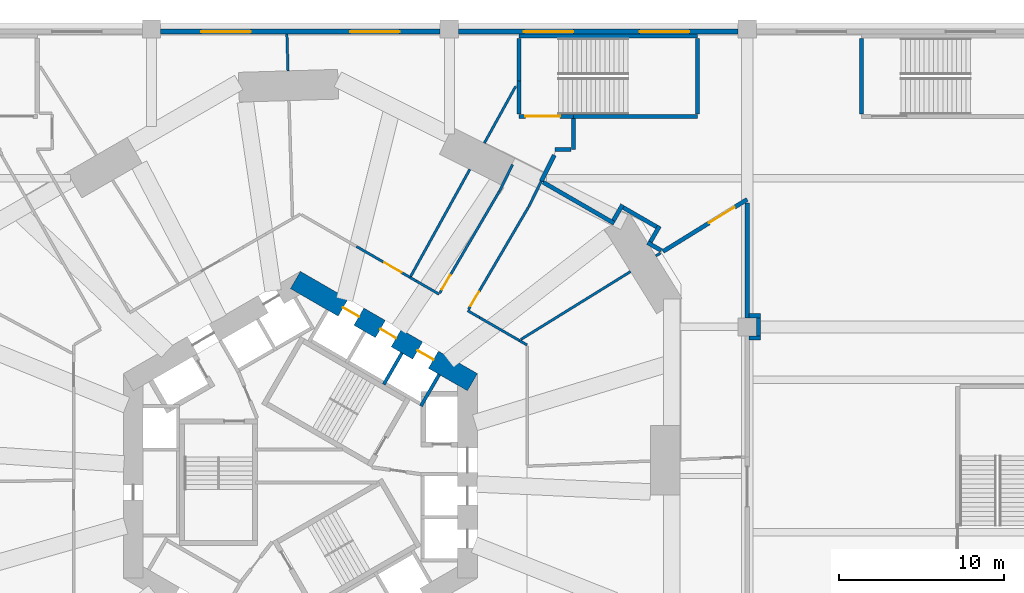
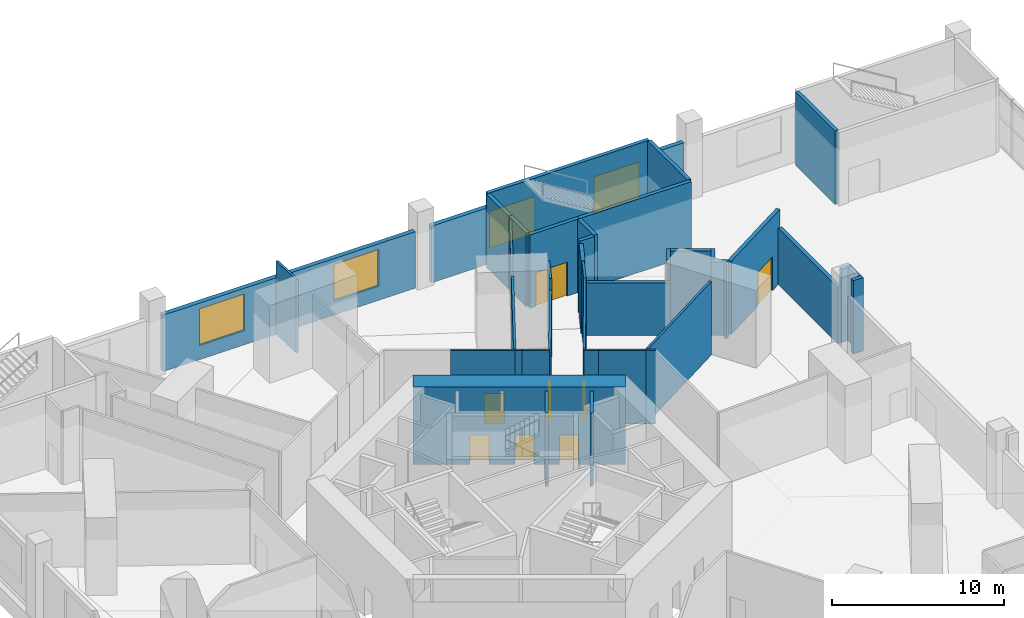
# One storey, part 9 of 16: 40 walls, 8 doors, 4 windows, 12 openings.
"""IFC4 building model written with IfcOpenShell, lengths in metres."""

from ifc_helpers import new_model, si_unit, direction, frame, frame_2d, origin, place, context, subcontext, project, spatial, rectangle, extrude, material, layer, layer_set, type_object, element, fill, save


model = new_model("IFC4")

# Units and contexts
model_context = context("Model", 3, precision=1e-05, world=origin(), true_north=direction((0.0, 1.0)))
body_context = subcontext(model_context, "Body", "Model", "MODEL_VIEW")
ifc_project = project(units=[si_unit("LENGTHUNIT", "METRE"), si_unit("AREAUNIT", "SQUARE_METRE"), si_unit("VOLUMEUNIT", "CUBIC_METRE"), si_unit("PLANEANGLEUNIT", "RADIAN"), si_unit("MASSUNIT", "GRAM", prefix="KILO")], contexts=[model_context])

# Site, building, storey
site_placement = place(None, origin())
site = spatial("IfcSite", under=ifc_project, at=site_placement, CompositionType="ELEMENT")
building_placement = place(site_placement, origin())
building = spatial("IfcBuilding", under=site, at=building_placement, Name="Vanh Sen Convention Tower", CompositionType="ELEMENT")
storey_placement = place(building_placement, frame((0.0, 0.0, 7.5)))
storey = spatial("IfcBuildingStorey", under=building, at=storey_placement, Name="L01", CompositionType="ELEMENT", Elevation=7.5)

# Walls
ifc_material_1 = material(Name="Concrete C40/50", Category="concrete")
ifc_layer_1 = layer(ifc_material_1, 0.25)
ifc_layer_set_1 = layer_set([ifc_layer_1], Name="Concrete C40/50")
wall_type_1 = type_object("IfcWallType", Name="Concrete wall 250 EI 180", PredefinedType="SOLIDWALL", material=ifc_layer_set_1)
wall_1_placement = place(storey_placement, frame((27.125, 8.324951171875, 0.0), z_axis=(0.0, 0.0, 1.0), x_axis=(1.0, 0.0, 0.0)))
element("IfcWall", 1, at=wall_1_placement, inside=storey, type_object=wall_type_1, Name="Fire-resisting wall L01-060", PredefinedType="SOLIDWALL", context=body_context, shape_type="SweptSolid", body=[
    extrude(rectangle(XDim=0.677001953125, YDim=0.25, at=frame_2d((0.33837890625, 0.0))), origin(), (0.0, 0.0, 1.0), 5.199951171875),
])
wall_2_placement = place(storey_placement, frame((27.677001953125, 8.449951171875, 0.0), z_axis=(0.0, 0.0, 1.0), x_axis=(0.0, 1.0, 0.0)))
element("IfcWall", 2, at=wall_2_placement, inside=storey, type_object=wall_type_1, Name="Fire-resisting wall L01-061", PredefinedType="SOLIDWALL", context=body_context, shape_type="SweptSolid", body=[
    extrude(rectangle(XDim=1.10009765625, YDim=0.25, at=frame_2d((0.550048828125, 0.0))), origin(), (0.0, 0.0, 1.0), 5.199951171875),
])
wall_3_placement = place(storey_placement, frame((27.0, 9.550048828125, 0.0), z_axis=(0.0, 0.0, 1.0), x_axis=(0.0, 1.0, 0.0)))
element("IfcWall", 3, at=wall_3_placement, inside=storey, type_object=wall_type_1, Name="Fire-resisting wall L01-063", PredefinedType="SOLIDWALL", context=body_context, shape_type="SweptSolid", body=[
    extrude(rectangle(XDim=6.932373046875, YDim=0.25, at=frame_2d((3.46630859375, 0.0))), origin(), (0.0, 0.0, 1.0), 4.0),
])
wall_4_placement = place(storey_placement, frame((27.125, 9.675048828125, 0.0), z_axis=(0.0, 0.0, 1.0), x_axis=(1.0, 0.0, 0.0)))
element("IfcWall", 4, at=wall_4_placement, inside=storey, type_object=wall_type_1, Name="Fire-resisting wall L01-065", PredefinedType="SOLIDWALL", context=body_context, shape_type="SweptSolid", body=[
    extrude(rectangle(XDim=0.677001953125, YDim=0.25, at=frame_2d((0.33837890625, 0.0))), origin(), (0.0, 0.0, 1.0), 5.199951171875),
])

# Wall, opening, door
wall_5_placement = place(storey_placement, frame((21.912841796875, 13.56005859375, 0.0), z_axis=(0.0, 0.0, 1.0), x_axis=(0.850358193604, 0.526204278367, 0.0)))
wall_5 = element("IfcWall", 5, at=wall_5_placement, inside=storey, type_object=wall_type_1, Name="Fire-resisting wall L01-078", PredefinedType="SOLIDWALL", context=body_context, shape_type="SweptSolid", body=[
    extrude(rectangle(XDim=5.982421875, YDim=0.25, at=frame_2d((2.9912109375, 0.0))), origin(), (0.0, 0.0, 1.0), 5.199951171875),
])
opening_1_placement = place(wall_5_placement, frame((3.2822265625, 0.0, 0.0)))
opening_1 = element("IfcOpeningElement", 6, at=opening_1_placement, cuts=wall_5, Name="Opening D01119", PredefinedType="OPENING", context=body_context, shape_type="SweptSolid", body=[
    extrude(rectangle(XDim=1.800048828125, YDim=2.39990234375, at=frame_2d((0.89990234375, 1.199951171875))), frame((0.0, 0.135009765625, 0.0), z_axis=(0.0, -1.0, 0.0), x_axis=(1.0, 0.0, 0.0)), (0.0, 0.0, 1.0), 0.27001953125),
])
ifc_material_2 = material(Name="Timber door in steel frame", Category="steel")
door_type_1 = type_object("IfcDoorType", Name="Double door 1800 EI 60", OperationType="DOUBLE_DOOR_SINGLE_SWING", PredefinedType="DOOR", material=ifc_material_2)
door_1_placement = place(opening_1_placement, origin())
door_1 = element("IfcDoor", 7, at=door_1_placement, inside=storey, type_object=door_type_1, Name="Double door D01119", OperationType="DOUBLE_DOOR_SINGLE_SWING", OverallHeight=2.39990234375, OverallWidth=1.800048828125, PredefinedType="DOOR", context=body_context, shape_type="SweptSolid", body=[
    extrude(rectangle(XDim=1.800048828125, YDim=2.39990234375, at=frame_2d((0.89990234375, 1.199951171875))), frame((0.0, 0.02490234375, 0.0), z_axis=(0.0, -1.0, 0.0), x_axis=(1.0, 0.0, 0.0)), (0.0, 0.0, 1.0), 0.050048828125),
])
fill(opening_1, door_1)

# Walls
wall_6_placement = place(storey_placement, frame((20.980712890625, 14.098388671875, 0.0), z_axis=(0.0, 0.0, 1.0), x_axis=(0.866019818373, -0.500009674092, 0.0)))
element("IfcWall", 8, at=wall_6_placement, inside=storey, type_object=wall_type_1, Name="Fire-resisting wall L01-081", PredefinedType="SOLIDWALL", context=body_context, shape_type="SweptSolid", body=[
    extrude(rectangle(XDim=0.95654296875, YDim=0.25, at=frame_2d((0.478271484375, 0.0))), origin(), (0.0, 0.0, 1.0), 5.199951171875),
])
wall_7_placement = place(storey_placement, frame((21.1513671875, 14.14404296875, 0.0), z_axis=(0.0, 0.0, 1.0), x_axis=(0.499940538003, 0.866059731463, 0.0)))
element("IfcWall", 9, at=wall_7_placement, inside=storey, type_object=wall_type_1, Name="Fire-resisting wall L01-082", PredefinedType="SOLIDWALL", context=body_context, shape_type="SweptSolid", body=[
    extrude(rectangle(XDim=1.098388671875, YDim=0.25, at=frame_2d((0.54931640625, 0.0))), origin(), (0.0, 0.0, 1.0), 5.199951171875),
])
wall_8_placement = place(storey_placement, frame((18.917724609375, 15.433837890625, 0.0), z_axis=(0.0, 0.0, 1.0), x_axis=(0.500036802197, 0.866004154983, 0.0)))
element("IfcWall", 10, at=wall_8_placement, inside=storey, type_object=wall_type_1, Name="Fire-resisting wall L01-085", PredefinedType="SOLIDWALL", context=body_context, shape_type="SweptSolid", body=[
    extrude(rectangle(XDim=1.09814453125, YDim=0.25, at=frame_2d((0.549072265625, 0.0))), origin(), (0.0, 0.0, 1.0), 5.199951171875),
])
wall_9_placement = place(storey_placement, frame((19.5126953125, 16.214111328125, 0.0), z_axis=(0.0, 0.0, 1.0), x_axis=(0.865983097198, -0.500073269999, 0.0)))
element("IfcWall", 11, at=wall_9_placement, inside=storey, type_object=wall_type_1, Name="Fire-resisting wall L01-087", PredefinedType="SOLIDWALL", context=body_context, shape_type="SweptSolid", body=[
    extrude(rectangle(XDim=2.329345703125, YDim=0.25, at=frame_2d((1.16455078125, 0.0))), origin(), (0.0, 0.0, 1.0), 5.199951171875),
])
wall_10_placement = place(storey_placement, frame((14.6650390625, 17.7451171875, 0.0), z_axis=(0.0, 0.0, 1.0), x_axis=(0.865991457592, -0.50005879192, 0.0)))
element("IfcWall", 12, at=wall_10_placement, inside=storey, type_object=wall_type_1, Name="Fire-resisting wall L01-089", PredefinedType="SOLIDWALL", context=body_context, shape_type="SweptSolid", body=[
    extrude(rectangle(XDim=4.9638671875, YDim=0.25, at=frame_2d((2.48193359375, 0.0))), origin(), (0.0, 0.0, 1.0), 3.699951171875),
])
wall_11_placement = place(storey_placement, frame((14.556396484375, 17.807373046875, 0.0), z_axis=(0.0, 0.0, 1.0), x_axis=(0.446105260408, 0.894980500701, 0.0)))
element("IfcWall", 13, at=wall_11_placement, inside=storey, type_object=wall_type_1, Name="Fire-resisting wall L01-091", PredefinedType="SOLIDWALL", context=body_context, shape_type="SweptSolid", body=[
    extrude(rectangle(XDim=1.7626953125, YDim=0.25, at=frame_2d((0.88134765625, 0.0))), origin(), (0.0, 0.0, 1.0), 5.199951171875),
])
wall_12_placement = place(storey_placement, frame((16.360107421875, 19.72509765625, 0.0), z_axis=(0.0, 0.0, 1.0), x_axis=(-1.0, 0.0, 0.0)))
element("IfcWall", 14, at=wall_12_placement, inside=storey, type_object=wall_type_1, Name="Fire-resisting wall L01-100", PredefinedType="SOLIDWALL", context=body_context, shape_type="SweptSolid", body=[
    extrude(rectangle(XDim=0.960205078125, YDim=0.25, at=frame_2d((0.47998046875, 0.0))), origin(), (0.0, 0.0, 1.0), 5.199951171875),
])
wall_13_placement = place(storey_placement, frame((16.5, 21.5849609375, 0.0), z_axis=(0.0, 0.0, 1.0), x_axis=(0.0, -1.0, 0.0)))
element("IfcWall", 15, at=wall_13_placement, inside=storey, type_object=wall_type_1, Name="Fire-resisting wall L01-102", PredefinedType="SOLIDWALL", context=body_context, shape_type="SweptSolid", body=[
    extrude(rectangle(XDim=1.85986328125, YDim=0.25, at=frame_2d((0.929931640625, 0.0))), origin(), (0.0, 0.0, 1.0), 5.199951171875),
])

# Wall, opening, door
ifc_layer_2 = layer(ifc_material_1, 0.25)
ifc_layer_set_2 = layer_set([ifc_layer_2], Name="Concrete C40/50")
wall_type_2 = type_object("IfcWallType", Name="Concrete wall 250 REI 180", PredefinedType="SOLIDWALL", material=ifc_layer_set_2)
wall_14_placement = place(storey_placement, frame((16.4990234375, 21.72509765625, 0.0), z_axis=(0.0, 0.0, 1.0), x_axis=(-1.0, 0.0, 0.0)))
wall_14 = element("IfcWall", 16, at=wall_14_placement, inside=storey, type_object=wall_type_2, Name="Fire-resisting wall L01-105", PredefinedType="SOLIDWALL", context=body_context, shape_type="SweptSolid", body=[
    extrude(rectangle(XDim=3.299072265625, YDim=0.25, at=frame_2d((1.6494140625, 0.0))), origin(), (0.0, 0.0, 1.0), 5.199951171875),
])
opening_2_placement = place(wall_14_placement, frame((0.799072265625, 0.0, 0.0)))
opening_2 = element("IfcOpeningElement", 17, at=opening_2_placement, cuts=wall_14, Name="Opening D01123", PredefinedType="OPENING", context=body_context, shape_type="SweptSolid", body=[
    extrude(rectangle(XDim=2.10009765625, YDim=2.39990234375, at=frame_2d((1.050048828125, 1.199951171875))), frame((0.0, 0.135009765625, 0.0), z_axis=(0.0, -1.0, 0.0), x_axis=(1.0, 0.0, 0.0)), (0.0, 0.0, 1.0), 0.27001953125),
])
ifc_material_3 = material(Name="Steel S355", Category="steel")
door_type_2 = type_object("IfcDoorType", Name="Stair door 2100 EI 60", OperationType="DOUBLE_DOOR_SINGLE_SWING", PredefinedType="DOOR", material=ifc_material_3)
door_2_placement = place(opening_2_placement, frame((2.10009765625, 0.0, 0.0), z_axis=(0.0, 0.0, 1.0), x_axis=(-1.0, 0.0, 0.0)))
door_2 = element("IfcDoor", 18, at=door_2_placement, inside=storey, type_object=door_type_2, Name="Stair door D01123", OperationType="DOUBLE_DOOR_SINGLE_SWING", OverallHeight=2.39990234375, OverallWidth=2.10009765625, PredefinedType="DOOR", context=body_context, shape_type="SweptSolid", body=[
    extrude(rectangle(XDim=2.10009765625, YDim=2.39990234375, at=frame_2d((1.050048828125, 1.199951171875))), frame((0.0, 0.02490234375, 0.0), z_axis=(0.0, -1.0, 0.0), x_axis=(1.0, 0.0, 0.0)), (0.0, 0.0, 1.0), 0.050048828125),
])
fill(opening_2, door_2)

# Walls
wall_15_placement = place(storey_placement, frame((24.0, 21.72509765625, 0.0), z_axis=(0.0, 0.0, 1.0), x_axis=(-1.0, 0.0, 0.0)))
element("IfcWall", 19, at=wall_15_placement, inside=storey, type_object=wall_type_2, Name="Fire-resisting wall L01-106", PredefinedType="SOLIDWALL", context=body_context, shape_type="SweptSolid", body=[
    extrude(rectangle(XDim=7.5, YDim=0.25, at=frame_2d((3.75, 0.0))), origin(), (0.0, 0.0, 1.0), 5.199951171875),
])
wall_16_placement = place(storey_placement, frame((13.199951171875, 21.864990234375, 0.0), z_axis=(0.0, 0.0, 1.0), x_axis=(0.0, 1.0, 0.0)))
element("IfcWall", 20, at=wall_16_placement, inside=storey, type_object=wall_type_2, Name="Fire-resisting wall L01-109", PredefinedType="SOLIDWALL", context=body_context, shape_type="SweptSolid", body=[
    extrude(rectangle(XDim=1.986083984375, YDim=0.25, at=frame_2d((0.9931640625, 0.0))), origin(), (0.0, 0.0, 1.0), 5.199951171875),
])
wall_17_placement = place(storey_placement, frame((33.89990234375, 21.864990234375, 0.0), z_axis=(0.0, 0.0, 1.0), x_axis=(0.0, 1.0, 0.0)))
element("IfcWall", 21, at=wall_17_placement, inside=storey, type_object=wall_type_2, Name="Fire-resisting wall L01-110", PredefinedType="SOLIDWALL", context=body_context, shape_type="SweptSolid", body=[
    extrude(rectangle(XDim=4.574951171875, YDim=0.25, at=frame_2d((2.28759765625, 0.0))), origin(), (0.0, 0.0, 1.0), 5.199951171875),
])
wall_18_placement = place(storey_placement, frame((13.199951171875, 23.87841796875, 0.0), z_axis=(0.0, 0.0, 1.0), x_axis=(0.0, 1.0, 0.0)))
element("IfcWall", 22, at=wall_18_placement, inside=storey, type_object=wall_type_2, Name="Fire-resisting wall L01-113", PredefinedType="SOLIDWALL", context=body_context, shape_type="SweptSolid", body=[
    extrude(rectangle(XDim=2.5615234375, YDim=0.25, at=frame_2d((1.28076171875, 0.0))), origin(), (0.0, 0.0, 1.0), 5.199951171875),
])
wall_19_placement = place(storey_placement, frame((24.0, 26.43994140625, 0.0), z_axis=(0.0, 0.0, 1.0), x_axis=(0.0, -1.0, 0.0)))
element("IfcWall", 23, at=wall_19_placement, inside=storey, type_object=wall_type_2, Name="Fire-resisting wall L01-117", PredefinedType="SOLIDWALL", context=body_context, shape_type="SweptSolid", body=[
    extrude(rectangle(XDim=4.574951171875, YDim=0.25, at=frame_2d((2.28759765625, 0.0))), origin(), (0.0, 0.0, 1.0), 5.199951171875),
])
wall_20_placement = place(storey_placement, frame((24.0, 26.574951171875, 0.0), z_axis=(0.0, 0.0, 1.0), x_axis=(-1.0, 0.0, 0.0)))
element("IfcWall", 24, at=wall_20_placement, inside=storey, type_object=wall_type_2, Name="Stair enclosure wall PS4 L01", PredefinedType="SOLIDWALL", context=body_context, shape_type="SweptSolid", body=[
    extrude(rectangle(XDim=10.800048828125, YDim=0.25, at=frame_2d((5.39990234375, 0.0))), origin(), (0.0, 0.0, 1.0), 5.199951171875),
])

# Wall, openings, doors
ifc_material_4 = material(Name="Concrete C80/95", Category="concrete")
ifc_layer_3 = layer(ifc_material_4, 1.199951171875)
ifc_layer_set_3 = layer_set([ifc_layer_3], Name="Concrete C80/95")
wall_type_3 = type_object("IfcWallType", Name="Core outer wall 1200 C80/95", PredefinedType="SHEAR", material=ifc_layer_set_3)
wall_21_placement = place(storey_placement, frame((10.39990234375, 5.657958984375, 0.0), z_axis=(0.0, 0.0, 1.0), x_axis=(-0.866021384402, 0.500006961711, 0.0)))
wall_21 = element("IfcWall", 25, at=wall_21_placement, inside=storey, type_object=wall_type_3, Name="Core wall face NE L01", PredefinedType="SHEAR", context=body_context, shape_type="SweptSolid", body=[
    extrude(rectangle(XDim=12.355224609375, YDim=1.199951171875, at=frame_2d((6.177734375, 0.0))), origin(), (0.0, 0.0, 1.0), 5.5),
])
opening_3_placement = place(wall_21_placement, frame((2.727783203125, 0.0, 0.0)))
opening_3 = element("IfcOpeningElement", 26, at=opening_3_placement, cuts=wall_21, Name="Opening LD-LR3", PredefinedType="OPENING", context=body_context, shape_type="SweptSolid", body=[
    extrude(rectangle(XDim=1.10009765625, YDim=2.10009765625, at=frame_2d((0.550048828125, 1.050048828125))), frame((0.0, 0.60986328125, 0.0), z_axis=(0.0, -1.0, 0.0), x_axis=(1.0, 0.0, 0.0)), (0.0, 0.0, 1.0), 1.219970703125),
])
opening_4_placement = place(wall_21_placement, frame((5.32763671875, 0.0, 0.0)))
opening_4 = element("IfcOpeningElement", 27, at=opening_4_placement, cuts=wall_21, Name="Opening LD-LR4", PredefinedType="OPENING", context=body_context, shape_type="SweptSolid", body=[
    extrude(rectangle(XDim=1.10009765625, YDim=2.10009765625, at=frame_2d((0.550048828125, 1.050048828125))), frame((0.0, 0.60986328125, 0.0), z_axis=(0.0, -1.0, 0.0), x_axis=(1.0, 0.0, 0.0)), (0.0, 0.0, 1.0), 1.219970703125),
])
opening_5_placement = place(wall_21_placement, frame((7.927734375, 0.0, 0.0)))
opening_5 = element("IfcOpeningElement", 28, at=opening_5_placement, cuts=wall_21, Name="Opening LD-LR5", PredefinedType="OPENING", context=body_context, shape_type="SweptSolid", body=[
    extrude(rectangle(XDim=1.10009765625, YDim=2.10009765625, at=frame_2d((0.550048828125, 1.050048828125))), frame((0.0, 0.60986328125, 0.0), z_axis=(0.0, -1.0, 0.0), x_axis=(1.0, 0.0, 0.0)), (0.0, 0.0, 1.0), 1.219970703125),
])
ifc_material_5 = material(Name="Stainless steel", Category="steel")
door_type_3 = type_object("IfcDoorType", Name="Lift landing door 1100", OperationType="DOUBLE_DOOR_SLIDING", PredefinedType="DOOR", material=ifc_material_5)
door_3_placement = place(opening_3_placement, origin())
door_3 = element("IfcDoor", 29, at=door_3_placement, inside=storey, type_object=door_type_3, Name="Lift LR3 landing door LD-LR3", OperationType="DOUBLE_DOOR_SLIDING", OverallHeight=2.10009765625, OverallWidth=1.10009765625, PredefinedType="DOOR", context=body_context, shape_type="SweptSolid", body=[
    extrude(rectangle(XDim=1.10009765625, YDim=2.10009765625, at=frame_2d((0.550048828125, 1.050048828125))), frame((0.0, 0.02490234375, 0.0), z_axis=(0.0, -1.0, 0.0), x_axis=(1.0, 0.0, 0.0)), (0.0, 0.0, 1.0), 0.050048828125),
])
fill(opening_3, door_3)
door_4_placement = place(opening_4_placement, origin())
door_4 = element("IfcDoor", 30, at=door_4_placement, inside=storey, type_object=door_type_3, Name="Lift LR4 landing door LD-LR4", OperationType="DOUBLE_DOOR_SLIDING", OverallHeight=2.10009765625, OverallWidth=1.10009765625, PredefinedType="DOOR", context=body_context, shape_type="SweptSolid", body=[
    extrude(rectangle(XDim=1.10009765625, YDim=2.10009765625, at=frame_2d((0.550048828125, 1.050048828125))), frame((0.0, 0.02490234375, 0.0), z_axis=(0.0, -1.0, 0.0), x_axis=(1.0, 0.0, 0.0)), (0.0, 0.0, 1.0), 0.050048828125),
])
fill(opening_4, door_4)
door_5_placement = place(opening_5_placement, origin())
door_5 = element("IfcDoor", 31, at=door_5_placement, inside=storey, type_object=door_type_3, Name="Lift LR5 landing door LD-LR5", OperationType="DOUBLE_DOOR_SLIDING", OverallHeight=2.10009765625, OverallWidth=1.10009765625, PredefinedType="DOOR", context=body_context, shape_type="SweptSolid", body=[
    extrude(rectangle(XDim=1.10009765625, YDim=2.10009765625, at=frame_2d((0.550048828125, 1.050048828125))), frame((0.0, 0.02490234375, 0.0), z_axis=(0.0, -1.0, 0.0), x_axis=(1.0, 0.0, 0.0)), (0.0, 0.0, 1.0), 0.050048828125),
])
fill(opening_5, door_5)

# Walls
ifc_layer_4 = layer(ifc_material_1, 0.199951171875)
ifc_layer_set_4 = layer_set([ifc_layer_4], Name="Concrete C40/50")
wall_type_4 = type_object("IfcWallType", Name="Lift shaft wall 200", PredefinedType="PARTITIONING", material=ifc_layer_set_4)
for number, where, z_axis, x_axis, name in (
    (32, (7.287353515625, 4.221923828125, 0.0), (0.0, 0.0, 1.0), (0.499946605688, 0.86605622881, 0.0), "Lift shaft wall L01"),
    (33, (5.03564453125, 5.52197265625, 0.0), (0.0, 0.0, 1.0), (0.499946605688, 0.86605622881, 0.0), "Lift shaft wall L01"),
):
    element("IfcWall", number, at=place(storey_placement, frame(where, z_axis=z_axis, x_axis=x_axis)), inside=storey, type_object=wall_type_4, Name=name, PredefinedType="PARTITIONING", context=body_context, shape_type="SweptSolid", body=[
        extrude(rectangle(XDim=2.199951171875, YDim=0.199951171875, at=frame_2d((1.10009765625, 0.0))), origin(), (0.0, 0.0, 1.0), 5.199951171875),
    ])
ifc_material_6 = material(Name="Gypsum board on steel studs", Category="steel")
ifc_layer_5 = layer(ifc_material_6, 0.14990234375)
ifc_layer_set_5 = layer_set([ifc_layer_5], Name="Gypsum board on steel studs")
wall_type_5 = type_object("IfcWallType", Name="Partition 150 EI 60", PredefinedType="PARTITIONING", material=ifc_layer_set_5)
wall_22_placement = place(storey_placement, frame((13.699951171875, 7.909423828125, 0.0), z_axis=(0.0, 0.0, 1.0), x_axis=(-0.865629350875, 0.50068535719, 0.0)))
element("IfcWall", 34, at=wall_22_placement, inside=storey, type_object=wall_type_5, Name="Partition L01-058", PredefinedType="PARTITIONING", context=body_context, shape_type="SweptSolid", body=[
    extrude(rectangle(XDim=0.548583984375, YDim=0.14990234375, at=frame_2d((0.2744140625, 0.0))), origin(), (0.0, 0.0, 1.0), 5.199951171875),
])
wall_23_placement = place(storey_placement, frame((10.83349609375, 9.564453125, 0.0), z_axis=(0.0, 0.0, 1.0), x_axis=(0.866091368387, -0.499885728548, 0.0)))
element("IfcWall", 35, at=wall_23_placement, inside=storey, type_object=wall_type_5, Name="Partition L01-064", PredefinedType="PARTITIONING", context=body_context, shape_type="SweptSolid", body=[
    extrude(rectangle(XDim=2.761474609375, YDim=0.14990234375, at=frame_2d((1.380859375, 0.0))), origin(), (0.0, 0.0, 1.0), 5.199951171875),
])
wall_24_placement = place(storey_placement, frame((10.113525390625, 9.98046875, 0.0), z_axis=(0.0, 0.0, 1.0), x_axis=(0.865848115047, -0.500306947453, 0.0)))
element("IfcWall", 36, at=wall_24_placement, inside=storey, type_object=wall_type_5, Name="Partition L01-067", PredefinedType="PARTITIONING", context=body_context, shape_type="SweptSolid", body=[
    extrude(rectangle(XDim=0.83154296875, YDim=0.14990234375, at=frame_2d((0.415771484375, 0.0))), origin(), (0.0, 0.0, 1.0), 5.199951171875),
])

# Wall, opening, door
wall_25_placement = place(storey_placement, frame((8.421875, 11.049560546875, 0.0), z_axis=(0.0, 0.0, 1.0), x_axis=(0.50561651199, 0.862758333952, 0.0)))
wall_25 = element("IfcWall", 37, at=wall_25_placement, inside=storey, type_object=wall_type_5, Name="Partition L01-068", PredefinedType="PARTITIONING", context=body_context, shape_type="SweptSolid", body=[
    extrude(rectangle(XDim=7.1181640625, YDim=0.14990234375, at=frame_2d((3.55908203125, 0.0))), origin(), (0.0, 0.0, 1.0), 4.39990234375),
])
opening_6_placement = place(wall_25_placement, frame((0.25, 0.0, 0.0)))
opening_6 = element("IfcOpeningElement", 38, at=opening_6_placement, cuts=wall_25, Name="Opening D01116", PredefinedType="OPENING", context=body_context, shape_type="SweptSolid", body=[
    extrude(rectangle(XDim=1.0, YDim=2.10009765625, at=frame_2d((0.5, 1.050048828125))), frame((0.0, 0.0849609375, 0.0), z_axis=(0.0, -1.0, 0.0), x_axis=(1.0, 0.0, 0.0)), (0.0, 0.0, 1.0), 0.169921875),
])
door_type_4 = type_object("IfcDoorType", Name="Room door 1000 EI 30", OperationType="SINGLE_SWING_LEFT", PredefinedType="DOOR", material=ifc_material_2)
door_6_placement = place(opening_6_placement, origin())
door_6 = element("IfcDoor", 39, at=door_6_placement, inside=storey, type_object=door_type_4, Name="Room door D01116", OperationType="SINGLE_SWING_LEFT", OverallHeight=2.10009765625, OverallWidth=1.0, PredefinedType="DOOR", context=body_context, shape_type="SweptSolid", body=[
    extrude(rectangle(XDim=1.0, YDim=2.10009765625, at=frame_2d((0.5, 1.050048828125))), frame((0.0, 0.02490234375, 0.0), z_axis=(0.0, -1.0, 0.0), x_axis=(1.0, 0.0, 0.0)), (0.0, 0.0, 1.0), 0.050048828125),
])
fill(opening_6, door_6)

# Walls
wall_26_placement = place(storey_placement, frame((6.9951171875, 11.78076171875, 0.0), z_axis=(0.0, 0.0, 1.0), x_axis=(0.866076391369, -0.499911676512, 0.0)))
element("IfcWall", 40, at=wall_26_placement, inside=storey, type_object=wall_type_5, Name="Partition L01-071", PredefinedType="PARTITIONING", context=body_context, shape_type="SweptSolid", body=[
    extrude(rectangle(XDim=1.600830078125, YDim=0.14990234375, at=frame_2d((0.80029296875, 0.0))), origin(), (0.0, 0.0, 1.0), 5.199951171875),
])
wall_27_placement = place(storey_placement, frame((6.9951171875, 11.78076171875, 0.0), z_axis=(0.0, 0.0, 1.0), x_axis=(-0.866281716711, 0.49955578997, 0.0)))
element("IfcWall", 41, at=wall_27_placement, inside=storey, type_object=wall_type_5, Name="Partition L01-072", PredefinedType="PARTITIONING", context=body_context, shape_type="SweptSolid", body=[
    extrude(rectangle(XDim=0.4228515625, YDim=0.14990234375, at=frame_2d((0.21142578125, 0.0))), origin(), (0.0, 0.0, 1.0), 5.199951171875),
])

# Wall, opening, door
wall_28_placement = place(storey_placement, frame((6.62890625, 11.991943359375, 0.0), z_axis=(0.0, 0.0, 1.0), x_axis=(-0.86599558016, 0.500051652475, 0.0)))
wall_28 = element("IfcWall", 42, at=wall_28_placement, inside=storey, type_object=wall_type_5, Name="Partition L01-074", PredefinedType="PARTITIONING", context=body_context, shape_type="SweptSolid", body=[
    extrude(rectangle(XDim=3.74462890625, YDim=0.14990234375, at=frame_2d((1.872314453125, 0.0))), origin(), (0.0, 0.0, 1.0), 5.199951171875),
])
opening_7_placement = place(wall_28_placement, frame((0.60009765625, 0.0, 0.0)))
opening_7 = element("IfcOpeningElement", 43, at=opening_7_placement, cuts=wall_28, Name="Opening D01118", PredefinedType="OPENING", context=body_context, shape_type="SweptSolid", body=[
    extrude(rectangle(XDim=1.199951171875, YDim=2.10009765625, at=frame_2d((0.60009765625, 1.050048828125))), frame((0.0, 0.0849609375, 0.0), z_axis=(0.0, -1.0, 0.0), x_axis=(1.0, 0.0, 0.0)), (0.0, 0.0, 1.0), 0.169921875),
])
door_type_5 = type_object("IfcDoorType", Name="Room door 1200 EI 30", OperationType="SINGLE_SWING_LEFT", PredefinedType="DOOR", material=ifc_material_2)
door_7_placement = place(opening_7_placement, origin())
door_7 = element("IfcDoor", 44, at=door_7_placement, inside=storey, type_object=door_type_5, Name="Room door D01118", OperationType="SINGLE_SWING_LEFT", OverallHeight=2.10009765625, OverallWidth=1.199951171875, PredefinedType="DOOR", context=body_context, shape_type="SweptSolid", body=[
    extrude(rectangle(XDim=1.199951171875, YDim=2.10009765625, at=frame_2d((0.60009765625, 1.050048828125))), frame((0.0, 0.02490234375, 0.0), z_axis=(0.0, -1.0, 0.0), x_axis=(1.0, 0.0, 0.0)), (0.0, 0.0, 1.0), 0.050048828125),
])
fill(opening_7, door_7)

# Walls
wall_29_placement = place(storey_placement, frame((6.667724609375, 12.06201171875, 0.0), z_axis=(0.0, 0.0, 1.0), x_axis=(0.483795376692, 0.875181143245, 0.0)))
element("IfcWall", 45, at=wall_29_placement, inside=storey, type_object=wall_type_5, Name="Partition L01-075", PredefinedType="PARTITIONING", context=body_context, shape_type="SweptSolid", body=[
    extrude(rectangle(XDim=7.386962890625, YDim=0.14990234375, at=frame_2d((3.693359375, 0.0))), origin(), (0.0, 0.0, 1.0), 5.199951171875),
])
wall_30_placement = place(storey_placement, frame((19.948974609375, 12.344970703125, 0.0), z_axis=(0.0, 0.0, 1.0), x_axis=(-0.850341306025, -0.526231568102, 0.0)))
element("IfcWall", 46, at=wall_30_placement, inside=storey, type_object=wall_type_5, Name="Partition L01-076", PredefinedType="PARTITIONING", context=body_context, shape_type="SweptSolid", body=[
    extrude(rectangle(XDim=7.787353515625, YDim=0.14990234375, at=frame_2d((3.8935546875, 0.0))), origin(), (0.0, 0.0, 1.0), 5.199951171875),
])
wall_31_placement = place(storey_placement, frame((21.755615234375, 13.462646484375, 0.0), z_axis=(0.0, 0.0, 1.0), x_axis=(-0.850441528835, -0.526069582881, 0.0)))
element("IfcWall", 47, at=wall_31_placement, inside=storey, type_object=wall_type_5, Name="Partition L01-077", PredefinedType="PARTITIONING", context=body_context, shape_type="SweptSolid", body=[
    extrude(rectangle(XDim=0.324462890625, YDim=0.14990234375, at=frame_2d((0.162109375, 0.0))), origin(), (0.0, 0.0, 1.0), 5.199951171875),
])

# Wall, opening, door
wall_32_placement = place(storey_placement, frame((13.77197265625, 16.22412109375, 0.0), z_axis=(0.0, 0.0, 1.0), x_axis=(-0.505547889018, -0.862798546539, 0.0)))
wall_32 = element("IfcWall", 48, at=wall_32_placement, inside=storey, type_object=wall_type_5, Name="Partition L01-088", PredefinedType="PARTITIONING", context=body_context, shape_type="SweptSolid", body=[
    extrude(rectangle(XDim=7.156494140625, YDim=0.14990234375, at=frame_2d((3.578125, 0.0))), origin(), (0.0, 0.0, 1.0), 5.199951171875),
])
opening_8_placement = place(wall_32_placement, frame((5.906494140625, 0.0, 0.0)))
opening_8 = element("IfcOpeningElement", 49, at=opening_8_placement, cuts=wall_32, Name="Opening D01120", PredefinedType="OPENING", context=body_context, shape_type="SweptSolid", body=[
    extrude(rectangle(XDim=1.0, YDim=2.10009765625, at=frame_2d((0.5, 1.050048828125))), frame((0.0, 0.0849609375, 0.0), z_axis=(0.0, -1.0, 0.0), x_axis=(1.0, 0.0, 0.0)), (0.0, 0.0, 1.0), 0.169921875),
])
door_8_placement = place(opening_8_placement, origin())
door_8 = element("IfcDoor", 50, at=door_8_placement, inside=storey, type_object=door_type_4, Name="Room door D01120", OperationType="SINGLE_SWING_LEFT", OverallHeight=2.10009765625, OverallWidth=1.0, PredefinedType="DOOR", context=body_context, shape_type="SweptSolid", body=[
    extrude(rectangle(XDim=1.0, YDim=2.10009765625, at=frame_2d((0.5, 1.050048828125))), frame((0.0, 0.02490234375, 0.0), z_axis=(0.0, -1.0, 0.0), x_axis=(1.0, 0.0, 0.0)), (0.0, 0.0, 1.0), 0.050048828125),
])
fill(opening_8, door_8)

# Walls
wall_33_placement = place(storey_placement, frame((14.56005859375, 17.80322265625, 0.0), z_axis=(0.0, 0.0, 1.0), x_axis=(-0.44574598187, -0.895159493971, 0.0)))
element("IfcWall", 51, at=wall_33_placement, inside=storey, type_object=wall_type_5, Name="Partition L01-090", PredefinedType="PARTITIONING", context=body_context, shape_type="SweptSolid", body=[
    extrude(rectangle(XDim=1.730712890625, YDim=0.14990234375, at=frame_2d((0.865234375, 0.0))), origin(), (0.0, 0.0, 1.0), 5.199951171875),
])
wall_34_placement = place(storey_placement, frame((12.825439453125, 18.806884765625, 0.0), z_axis=(0.0, 0.0, 1.0), x_axis=(-0.445626254489, -0.895219102404, 0.0)))
element("IfcWall", 52, at=wall_34_placement, inside=storey, type_object=wall_type_5, Name="Partition L01-092", PredefinedType="PARTITIONING", context=body_context, shape_type="SweptSolid", body=[
    extrude(rectangle(XDim=1.784912109375, YDim=0.14990234375, at=frame_2d((0.892578125, 0.0))), origin(), (0.0, 0.0, 1.0), 5.199951171875),
])
wall_35_placement = place(storey_placement, frame((13.010009765625, 23.538330078125, 0.0), z_axis=(0.0, 0.0, 1.0), x_axis=(-0.483449030978, -0.875372511818, 0.0)))
element("IfcWall", 53, at=wall_35_placement, inside=storey, type_object=wall_type_5, Name="Partition L01-112", PredefinedType="PARTITIONING", context=body_context, shape_type="SweptSolid", body=[
    extrude(rectangle(XDim=3.923828125, YDim=0.14990234375, at=frame_2d((1.9619140625, 0.0))), origin(), (0.0, 0.0, 1.0), 5.199951171875),
])
wall_36_placement = place(storey_placement, frame((-0.747802734375, 24.476806640625, 0.0), z_axis=(0.0, 0.0, 1.0), x_axis=(-0.030405439098, 0.999537647752, 0.0)))
element("IfcWall", 54, at=wall_36_placement, inside=storey, type_object=wall_type_5, Name="Partition L01-114", PredefinedType="PARTITIONING", context=body_context, shape_type="SweptSolid", body=[
    extrude(rectangle(XDim=2.22412109375, YDim=0.14990234375, at=frame_2d((1.112060546875, 0.0))), origin(), (0.0, 0.0, 1.0), 5.199951171875),
])

# Wall, openings, windows
ifc_material_7 = material(Name="Concrete C50/60", Category="concrete")
ifc_layer_6 = layer(ifc_material_7, 0.300048828125)
ifc_layer_set_6 = layer_set([ifc_layer_6], Name="Concrete C50/60")
wall_type_6 = type_object("IfcWallType", Name="Podium wall 300", PredefinedType="STANDARD", material=ifc_layer_set_6)
wall_37_placement = place(storey_placement, frame((26.449951171875, 26.85009765625, 0.0), z_axis=(0.0, 0.0, 1.0), x_axis=(-1.0, 0.0, 0.0)))
wall_37 = element("IfcWall", 55, at=wall_37_placement, inside=storey, type_object=wall_type_6, Name="Podium wall N2 L01", PredefinedType="STANDARD", context=body_context, shape_type="SweptSolid", body=[
    extrude(rectangle(XDim=16.89990234375, YDim=0.300048828125, at=frame_2d((8.449951171875, 0.0))), origin(), (0.0, 0.0, 1.0), 4.0),
])
opening_9_placement = place(wall_37_placement, frame((2.949951171875, 0.0, 1.0)))
opening_9 = element("IfcOpeningElement", 56, at=opening_9_placement, cuts=wall_37, Name="Opening WP2-N3", PredefinedType="OPENING", context=body_context, shape_type="SweptSolid", body=[
    extrude(rectangle(XDim=3.0, YDim=2.60009765625, at=frame_2d((1.5, 1.300048828125))), frame((0.0, 0.159912109375, 0.0), z_axis=(0.0, -1.0, 0.0), x_axis=(1.0, 0.0, 0.0)), (0.0, 0.0, 1.0), 0.320068359375),
])
opening_10_placement = place(wall_37_placement, frame((9.949951171875, 0.0, 1.0)))
opening_10 = element("IfcOpeningElement", 57, at=opening_10_placement, cuts=wall_37, Name="Opening WP2-N4", PredefinedType="OPENING", context=body_context, shape_type="SweptSolid", body=[
    extrude(rectangle(XDim=3.0, YDim=2.60009765625, at=frame_2d((1.5, 1.300048828125))), frame((0.0, 0.159912109375, 0.0), z_axis=(0.0, -1.0, 0.0), x_axis=(1.0, 0.0, 0.0)), (0.0, 0.0, 1.0), 0.320068359375),
])
ifc_material_8 = material(Name="Aluminium frame with clear low-emissivity glass", Category="aluminium")
window_type = type_object("IfcWindowType", Name="Podium window 3000 x 2600", PartitioningType="SINGLE_PANEL", PredefinedType="WINDOW", material=ifc_material_8)
window_1_placement = place(opening_9_placement, origin())
window_1 = element("IfcWindow", 58, at=window_1_placement, inside=storey, type_object=window_type, Name="Window WP2-N3", OverallHeight=2.60009765625, OverallWidth=3.0, PartitioningType="SINGLE_PANEL", PredefinedType="WINDOW", context=body_context, shape_type="SweptSolid", body=[
    extrude(rectangle(XDim=3.0, YDim=2.60009765625, at=frame_2d((1.5, 1.300048828125))), frame((0.0, 0.030029296875, 0.0), z_axis=(0.0, -1.0, 0.0), x_axis=(1.0, 0.0, 0.0)), (0.0, 0.0, 1.0), 0.06005859375),
])
fill(opening_9, window_1)
window_2_placement = place(opening_10_placement, origin())
window_2 = element("IfcWindow", 59, at=window_2_placement, inside=storey, type_object=window_type, Name="Window WP2-N4", OverallHeight=2.60009765625, OverallWidth=3.0, PartitioningType="SINGLE_PANEL", PredefinedType="WINDOW", context=body_context, shape_type="SweptSolid", body=[
    extrude(rectangle(XDim=3.0, YDim=2.60009765625, at=frame_2d((1.5, 1.300048828125))), frame((0.0, 0.030029296875, 0.0), z_axis=(0.0, -1.0, 0.0), x_axis=(1.0, 0.0, 0.0)), (0.0, 0.0, 1.0), 0.06005859375),
])
fill(opening_10, window_2)

wall_38_placement = place(storey_placement, frame((8.449951171875, 26.85009765625, 0.0), z_axis=(0.0, 0.0, 1.0), x_axis=(-1.0, 0.0, 0.0)))
wall_38 = element("IfcWall", 60, at=wall_38_placement, inside=storey, type_object=wall_type_6, Name="Podium wall N3 L01", PredefinedType="STANDARD", context=body_context, shape_type="SweptSolid", body=[
    extrude(rectangle(XDim=16.89990234375, YDim=0.300048828125, at=frame_2d((8.449951171875, 0.0))), origin(), (0.0, 0.0, 1.0), 4.0),
])
opening_11_placement = place(wall_38_placement, frame((2.449951171875, 0.0, 1.0)))
opening_11 = element("IfcOpeningElement", 61, at=opening_11_placement, cuts=wall_38, Name="Opening WP2-N5", PredefinedType="OPENING", context=body_context, shape_type="SweptSolid", body=[
    extrude(rectangle(XDim=3.0, YDim=2.60009765625, at=frame_2d((1.5, 1.300048828125))), frame((0.0, 0.159912109375, 0.0), z_axis=(0.0, -1.0, 0.0), x_axis=(1.0, 0.0, 0.0)), (0.0, 0.0, 1.0), 0.320068359375),
])
opening_12_placement = place(wall_38_placement, frame((11.449951171875, 0.0, 1.0)))
opening_12 = element("IfcOpeningElement", 62, at=opening_12_placement, cuts=wall_38, Name="Opening WP2-N6", PredefinedType="OPENING", context=body_context, shape_type="SweptSolid", body=[
    extrude(rectangle(XDim=3.0, YDim=2.60009765625, at=frame_2d((1.5, 1.300048828125))), frame((0.0, 0.159912109375, 0.0), z_axis=(0.0, -1.0, 0.0), x_axis=(1.0, 0.0, 0.0)), (0.0, 0.0, 1.0), 0.320068359375),
])
window_3_placement = place(opening_11_placement, origin())
window_3 = element("IfcWindow", 63, at=window_3_placement, inside=storey, type_object=window_type, Name="Window WP2-N5", OverallHeight=2.60009765625, OverallWidth=3.0, PartitioningType="SINGLE_PANEL", PredefinedType="WINDOW", context=body_context, shape_type="SweptSolid", body=[
    extrude(rectangle(XDim=3.0, YDim=2.60009765625, at=frame_2d((1.5, 1.300048828125))), frame((0.0, 0.030029296875, 0.0), z_axis=(0.0, -1.0, 0.0), x_axis=(1.0, 0.0, 0.0)), (0.0, 0.0, 1.0), 0.06005859375),
])
fill(opening_11, window_3)
window_4_placement = place(opening_12_placement, origin())
window_4 = element("IfcWindow", 64, at=window_4_placement, inside=storey, type_object=window_type, Name="Window WP2-N6", OverallHeight=2.60009765625, OverallWidth=3.0, PartitioningType="SINGLE_PANEL", PredefinedType="WINDOW", context=body_context, shape_type="SweptSolid", body=[
    extrude(rectangle(XDim=3.0, YDim=2.60009765625, at=frame_2d((1.5, 1.300048828125))), frame((0.0, 0.030029296875, 0.0), z_axis=(0.0, -1.0, 0.0), x_axis=(1.0, 0.0, 0.0)), (0.0, 0.0, 1.0), 0.06005859375),
])
fill(opening_12, window_4)

save(model, "model.ifc")
